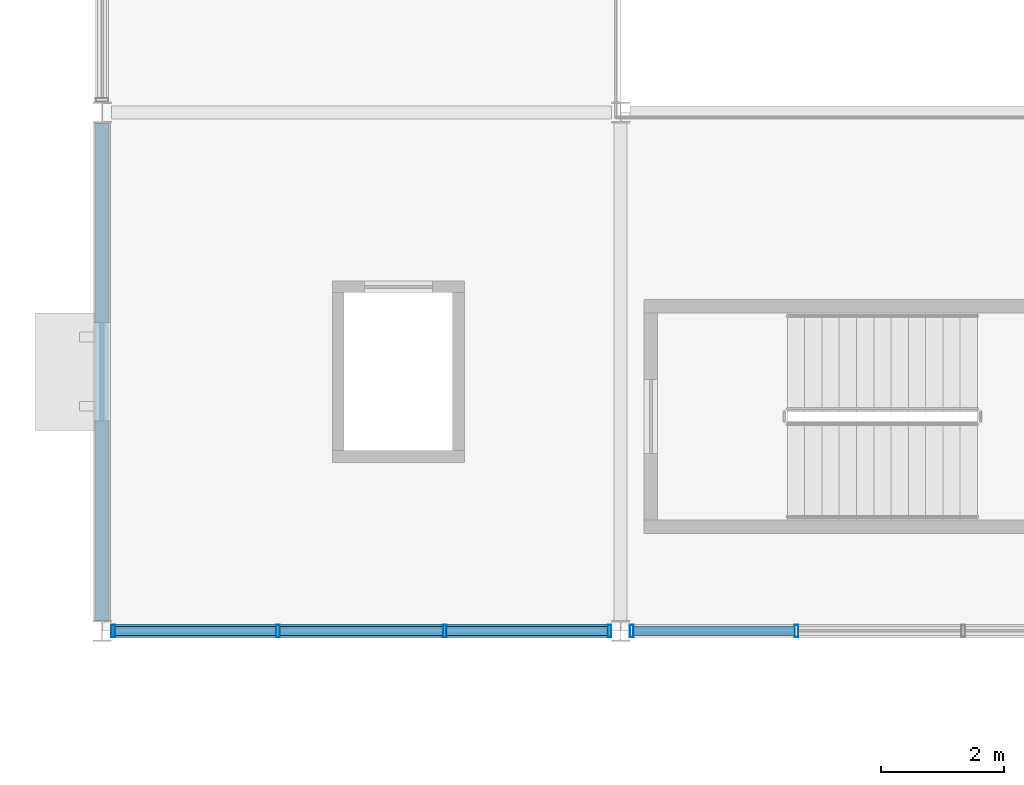
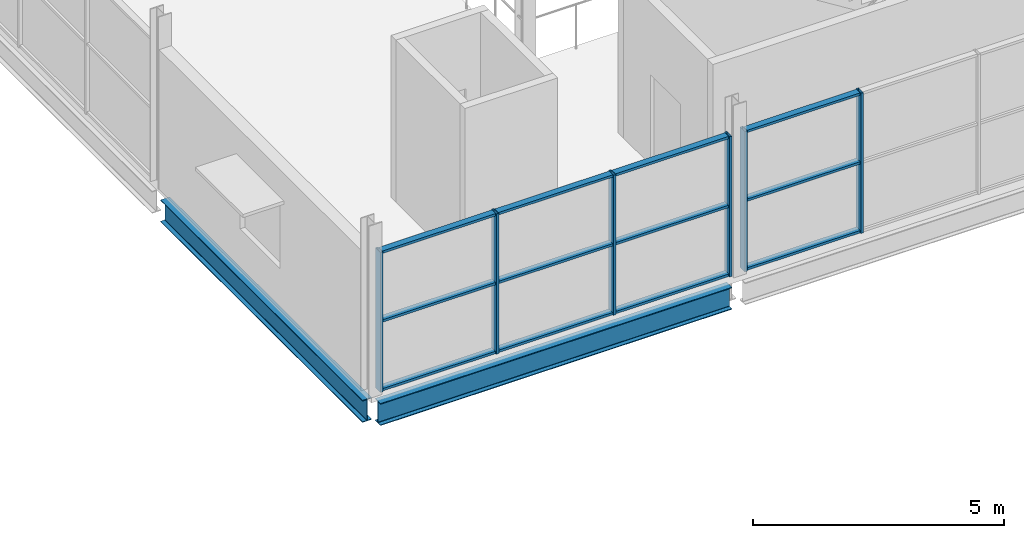
# One storey, part 16 of 93: 18 members, 2 beams, 2 elements without a shape of their own.
"""IFC4 building model written with IfcOpenShell, lengths in metres."""

from ifc_helpers import new_model, si_unit, direction, frame, origin, origin_2d, place, context, subcontext, project, spatial, hollow_rectangle, i_section, extrude, material, material_profile, profile_set, type_object, element, aggregate, save


model = new_model("IFC4")

# Units and contexts
model_context = context("Model", 3, precision=1e-05, world=origin(), true_north=direction((0.0, 1.0)))
body_context = subcontext(model_context, "Body", "Model", "MODEL_VIEW")
ifc_project = project(units=[si_unit("LENGTHUNIT", "METRE"), si_unit("AREAUNIT", "SQUARE_METRE"), si_unit("VOLUMEUNIT", "CUBIC_METRE"), si_unit("PLANEANGLEUNIT", "RADIAN"), si_unit("MASSUNIT", "GRAM", prefix="KILO"), si_unit("THERMODYNAMICTEMPERATUREUNIT", "KELVIN")], contexts=[model_context])

# Site, building, storey
site_placement = place(None, origin())
site = spatial("IfcSite", under=ifc_project, at=site_placement, CompositionType="ELEMENT")
building_placement = place(site_placement, origin())
building = spatial("IfcBuilding", under=site, at=building_placement, Name="Nduvali Passage Aquatics Centre", CompositionType="ELEMENT")
storey_placement = place(building_placement, frame((0.0, 0.0, 9.0)))
storey = spatial("IfcBuildingStorey", under=building, at=storey_placement, Name="L02", CompositionType="ELEMENT", Elevation=9.0)

# Curtain wall, members
ifc_material_1 = material(Name="Aluminium EN AW-6063 T6", Category="aluminium")
curtain_wall_type = type_object("IfcCurtainWallType", Name="ENV-CW-DIVE", PredefinedType="NOTDEFINED", material=ifc_material_1)
curtain_wall_1_placement = place(storey_placement, origin())
curtain_wall_1 = element("IfcCurtainWall", 1, at=curtain_wall_1_placement, inside=storey, type_object=curtain_wall_type, Name="L02 Diving Side Clerestory CW 148", PredefinedType="NOTDEFINED")
ifc_material_profile_1 = material_profile(ifc_material_1, hollow_rectangle(XDim=0.06005859375, YDim=0.199951171875, WallThickness=0.00390625, at=origin_2d()), Name="ALU MULLION 60x200x4")
ifc_profile_set_1 = profile_set([ifc_material_profile_1], Name="Aluminium EN AW-6063 T6")
member_type_1 = type_object("IfcMemberType", Name="ENV-MEM-MUL80", PredefinedType="MULLION", material=ifc_profile_set_1)
member_1_placement = place(storey_placement, frame((0.179931640625, 33.60009765625, 0.0), z_axis=(0.0, 0.0, 1.0), x_axis=(1.0, 0.0, 0.0)))
member_1 = element("IfcMember", 2, at=member_1_placement, type_object=member_type_1, Name="Diving Side Clerestory CW Mullion 1", PredefinedType="MULLION", context=body_context, shape_type="SweptSolid", body=[
    extrude(hollow_rectangle(XDim=0.06005859375, YDim=0.199951171875, WallThickness=0.00390625, at=origin_2d()), origin(), (0.0, 0.0, 1.0), 3.412841796875),
])
member_2_placement = place(storey_placement, frame((2.85009765625, 33.60009765625, 0.0), z_axis=(0.0, 0.0, 1.0), x_axis=(1.0, 0.0, 0.0)))
member_2 = element("IfcMember", 3, at=member_2_placement, type_object=member_type_1, Name="Diving Side Clerestory CW Mullion 2", PredefinedType="MULLION", context=body_context, shape_type="SweptSolid", body=[
    extrude(hollow_rectangle(XDim=0.06005859375, YDim=0.199951171875, WallThickness=0.00390625, at=origin_2d()), origin(), (0.0, 0.0, 1.0), 3.412841796875),
])
member_3_placement = place(storey_placement, frame((5.550048828125, 33.60009765625, 0.0), z_axis=(0.0, 0.0, 1.0), x_axis=(1.0, 0.0, 0.0)))
member_3 = element("IfcMember", 4, at=member_3_placement, type_object=member_type_1, Name="Diving Side Clerestory CW Mullion 3", PredefinedType="MULLION", context=body_context, shape_type="SweptSolid", body=[
    extrude(hollow_rectangle(XDim=0.06005859375, YDim=0.199951171875, WallThickness=0.00390625, at=origin_2d()), origin(), (0.0, 0.0, 1.0), 3.412841796875),
])
member_4_placement = place(storey_placement, frame((8.219970703125, 33.60009765625, 0.0), z_axis=(0.0, 0.0, 1.0), x_axis=(1.0, 0.0, 0.0)))
member_4 = element("IfcMember", 5, at=member_4_placement, type_object=member_type_1, Name="Diving Side Clerestory CW Mullion 4", PredefinedType="MULLION", context=body_context, shape_type="SweptSolid", body=[
    extrude(hollow_rectangle(XDim=0.06005859375, YDim=0.199951171875, WallThickness=0.00390625, at=origin_2d()), origin(), (0.0, 0.0, 1.0), 3.412841796875),
])

curtain_wall_2_placement = place(storey_placement, origin())
curtain_wall_2 = element("IfcCurtainWall", 6, at=curtain_wall_2_placement, inside=storey, type_object=curtain_wall_type, Name="L02 Diving Side Clerestory CW 150", PredefinedType="NOTDEFINED")
member_5_placement = place(storey_placement, frame((8.580078125, 33.60009765625, 0.0), z_axis=(0.0, 0.0, 1.0), x_axis=(1.0, 0.0, 0.0)))
member_5 = element("IfcMember", 7, at=member_5_placement, type_object=member_type_1, Name="Diving Side Clerestory CW Mullion 1", PredefinedType="MULLION", context=body_context, shape_type="SweptSolid", body=[
    extrude(hollow_rectangle(XDim=0.06005859375, YDim=0.199951171875, WallThickness=0.00390625, at=origin_2d()), origin(), (0.0, 0.0, 1.0), 3.412841796875),
])
member_6_placement = place(storey_placement, frame((11.25, 33.60009765625, 0.0), z_axis=(0.0, 0.0, 1.0), x_axis=(1.0, 0.0, 0.0)))
member_6 = element("IfcMember", 8, at=member_6_placement, type_object=member_type_1, Name="Diving Side Clerestory CW Mullion 2", PredefinedType="MULLION", context=body_context, shape_type="SweptSolid", body=[
    extrude(hollow_rectangle(XDim=0.06005859375, YDim=0.199951171875, WallThickness=0.00390625, at=origin_2d()), origin(), (0.0, 0.0, 1.0), 3.412841796875),
])

# Member
ifc_material_profile_2 = material_profile(ifc_material_1, hollow_rectangle(XDim=0.14990234375, YDim=0.06005859375, WallThickness=0.00390625, at=origin_2d()), Name="ALU TRANSOM 150x60x4")
ifc_profile_set_2 = profile_set([ifc_material_profile_2], Name="Aluminium EN AW-6063 T6")
member_type_2 = type_object("IfcMemberType", Name="ENV-MEM-TRN80", PredefinedType="USERDEFINED", material=ifc_profile_set_2)
member_7_placement = place(storey_placement, frame((0.2099609375, 33.60009765625, 0.030029296875), z_axis=(1.0, 0.0, 0.0), x_axis=(0.0, 1.0, 0.0)))
member_7 = element("IfcMember", 9, at=member_7_placement, type_object=member_type_2, Name="Diving Side Clerestory CW Transom B1-R0", ObjectType="TRANSOM", PredefinedType="USERDEFINED", context=body_context, shape_type="SweptSolid", body=[
    extrude(hollow_rectangle(XDim=0.14990234375, YDim=0.06005859375, WallThickness=0.00390625, at=origin_2d()), origin(), (0.0, 0.0, 1.0), 2.610107421875),
])

member_8_placement = place(storey_placement, frame((0.2099609375, 33.60009765625, 1.706298828125), z_axis=(1.0, 0.0, 0.0), x_axis=(0.0, 1.0, 0.0)))
member_8 = element("IfcMember", 10, at=member_8_placement, type_object=member_type_2, Name="Diving Side Clerestory CW Transom B1-R1", ObjectType="TRANSOM", PredefinedType="USERDEFINED", context=body_context, shape_type="SweptSolid", body=[
    extrude(hollow_rectangle(XDim=0.14990234375, YDim=0.06005859375, WallThickness=0.00390625, at=origin_2d()), origin(), (0.0, 0.0, 1.0), 2.610107421875),
])

member_9_placement = place(storey_placement, frame((0.2099609375, 33.60009765625, 3.3828125), z_axis=(1.0, 0.0, 0.0), x_axis=(0.0, 1.0, 0.0)))
member_9 = element("IfcMember", 11, at=member_9_placement, type_object=member_type_2, Name="Diving Side Clerestory CW Transom B1-R2", ObjectType="TRANSOM", PredefinedType="USERDEFINED", context=body_context, shape_type="SweptSolid", body=[
    extrude(hollow_rectangle(XDim=0.14990234375, YDim=0.06005859375, WallThickness=0.00390625, at=origin_2d()), origin(), (0.0, 0.0, 1.0), 2.610107421875),
])

member_10_placement = place(storey_placement, frame((2.8798828125, 33.60009765625, 0.030029296875), z_axis=(1.0, 0.0, 0.0), x_axis=(0.0, 1.0, 0.0)))
member_10 = element("IfcMember", 12, at=member_10_placement, type_object=member_type_2, Name="Diving Side Clerestory CW Transom B2-R0", ObjectType="TRANSOM", PredefinedType="USERDEFINED", context=body_context, shape_type="SweptSolid", body=[
    extrude(hollow_rectangle(XDim=0.14990234375, YDim=0.06005859375, WallThickness=0.00390625, at=origin_2d()), origin(), (0.0, 0.0, 1.0), 2.64013671875),
])

member_11_placement = place(storey_placement, frame((2.8798828125, 33.60009765625, 1.706298828125), z_axis=(1.0, 0.0, 0.0), x_axis=(0.0, 1.0, 0.0)))
member_11 = element("IfcMember", 13, at=member_11_placement, type_object=member_type_2, Name="Diving Side Clerestory CW Transom B2-R1", ObjectType="TRANSOM", PredefinedType="USERDEFINED", context=body_context, shape_type="SweptSolid", body=[
    extrude(hollow_rectangle(XDim=0.14990234375, YDim=0.06005859375, WallThickness=0.00390625, at=origin_2d()), origin(), (0.0, 0.0, 1.0), 2.64013671875),
])

member_12_placement = place(storey_placement, frame((2.8798828125, 33.60009765625, 3.3828125), z_axis=(1.0, 0.0, 0.0), x_axis=(0.0, 1.0, 0.0)))
member_12 = element("IfcMember", 14, at=member_12_placement, type_object=member_type_2, Name="Diving Side Clerestory CW Transom B2-R2", ObjectType="TRANSOM", PredefinedType="USERDEFINED", context=body_context, shape_type="SweptSolid", body=[
    extrude(hollow_rectangle(XDim=0.14990234375, YDim=0.06005859375, WallThickness=0.00390625, at=origin_2d()), origin(), (0.0, 0.0, 1.0), 2.64013671875),
])

member_13_placement = place(storey_placement, frame((5.580078125, 33.60009765625, 0.030029296875), z_axis=(1.0, 0.0, 0.0), x_axis=(0.0, 1.0, 0.0)))
member_13 = element("IfcMember", 15, at=member_13_placement, type_object=member_type_2, Name="Diving Side Clerestory CW Transom B3-R0", ObjectType="TRANSOM", PredefinedType="USERDEFINED", context=body_context, shape_type="SweptSolid", body=[
    extrude(hollow_rectangle(XDim=0.14990234375, YDim=0.06005859375, WallThickness=0.00390625, at=origin_2d()), origin(), (0.0, 0.0, 1.0), 2.60986328125),
])

member_14_placement = place(storey_placement, frame((5.580078125, 33.60009765625, 1.706298828125), z_axis=(1.0, 0.0, 0.0), x_axis=(0.0, 1.0, 0.0)))
member_14 = element("IfcMember", 16, at=member_14_placement, type_object=member_type_2, Name="Diving Side Clerestory CW Transom B3-R1", ObjectType="TRANSOM", PredefinedType="USERDEFINED", context=body_context, shape_type="SweptSolid", body=[
    extrude(hollow_rectangle(XDim=0.14990234375, YDim=0.06005859375, WallThickness=0.00390625, at=origin_2d()), origin(), (0.0, 0.0, 1.0), 2.60986328125),
])

member_15_placement = place(storey_placement, frame((5.580078125, 33.60009765625, 3.3828125), z_axis=(1.0, 0.0, 0.0), x_axis=(0.0, 1.0, 0.0)))
member_15 = element("IfcMember", 17, at=member_15_placement, type_object=member_type_2, Name="Diving Side Clerestory CW Transom B3-R2", ObjectType="TRANSOM", PredefinedType="USERDEFINED", context=body_context, shape_type="SweptSolid", body=[
    extrude(hollow_rectangle(XDim=0.14990234375, YDim=0.06005859375, WallThickness=0.00390625, at=origin_2d()), origin(), (0.0, 0.0, 1.0), 2.60986328125),
])

aggregate(curtain_wall_1, [member_1, member_2, member_3, member_4, member_7, member_8, member_9, member_10, member_11, member_12, member_13, member_14, member_15])

member_16_placement = place(storey_placement, frame((8.610107421875, 33.60009765625, 0.030029296875), z_axis=(1.0, 0.0, 0.0), x_axis=(0.0, 1.0, 0.0)))
member_16 = element("IfcMember", 18, at=member_16_placement, type_object=member_type_2, Name="Diving Side Clerestory CW Transom B1-R0", ObjectType="TRANSOM", PredefinedType="USERDEFINED", context=body_context, shape_type="SweptSolid", body=[
    extrude(hollow_rectangle(XDim=0.14990234375, YDim=0.06005859375, WallThickness=0.00390625, at=origin_2d()), origin(), (0.0, 0.0, 1.0), 2.60986328125),
])

member_17_placement = place(storey_placement, frame((8.610107421875, 33.60009765625, 1.706298828125), z_axis=(1.0, 0.0, 0.0), x_axis=(0.0, 1.0, 0.0)))
member_17 = element("IfcMember", 19, at=member_17_placement, type_object=member_type_2, Name="Diving Side Clerestory CW Transom B1-R1", ObjectType="TRANSOM", PredefinedType="USERDEFINED", context=body_context, shape_type="SweptSolid", body=[
    extrude(hollow_rectangle(XDim=0.14990234375, YDim=0.06005859375, WallThickness=0.00390625, at=origin_2d()), origin(), (0.0, 0.0, 1.0), 2.60986328125),
])

member_18_placement = place(storey_placement, frame((8.610107421875, 33.60009765625, 3.3828125), z_axis=(1.0, 0.0, 0.0), x_axis=(0.0, 1.0, 0.0)))
member_18 = element("IfcMember", 20, at=member_18_placement, type_object=member_type_2, Name="Diving Side Clerestory CW Transom B1-R2", ObjectType="TRANSOM", PredefinedType="USERDEFINED", context=body_context, shape_type="SweptSolid", body=[
    extrude(hollow_rectangle(XDim=0.14990234375, YDim=0.06005859375, WallThickness=0.00390625, at=origin_2d()), origin(), (0.0, 0.0, 1.0), 2.60986328125),
])

aggregate(curtain_wall_2, [member_5, member_6, member_16, member_17, member_18])

# Beams
ifc_material_2 = material(Name="Steel S355", Category="steel")
ifc_material_profile_3 = material_profile(ifc_material_2, i_section(OverallWidth=0.210693359375, OverallDepth=0.53955078125, WebThickness=0.01171875, FlangeThickness=0.018798828125, FilletRadius=0.0126953125, at=origin_2d()), Name="UKB 533x210x109")
ifc_profile_set_3 = profile_set([ifc_material_profile_3], Name="Steel S355")
beam_type_1 = type_object("IfcBeamType", Name="STR-BM-UKB533", PredefinedType="BEAM", material=ifc_profile_set_3)
beam_1_placement = place(storey_placement, frame((0.14990234375, 33.60009765625, -0.53369140625), z_axis=(1.0, 0.0, 0.0), x_axis=(0.0, 1.0, 0.0)))
element("IfcBeam", 21, at=beam_1_placement, inside=storey, type_object=beam_type_1, Name="L02 Primary X-Girder B6-0884", PredefinedType="BEAM", context=body_context, shape_type="SweptSolid", body=[
    extrude(i_section(OverallWidth=0.210693359375, OverallDepth=0.53955078125, WebThickness=0.01171875, FlangeThickness=0.018798828125, FilletRadius=0.0126953125, at=origin_2d()), origin(), (0.0, 0.0, 1.0), 8.10009765625),
])
ifc_material_profile_4 = material_profile(ifc_material_2, i_section(OverallWidth=0.210693359375, OverallDepth=0.53955078125, WebThickness=0.01171875, FlangeThickness=0.018798828125, FilletRadius=0.0126953125, at=origin_2d()), Name="UKB 533x210x109")
ifc_profile_set_4 = profile_set([ifc_material_profile_4], Name="Steel S355")
beam_type_2 = type_object("IfcBeamType", Name="STR-BM-UKB533-EXT", PredefinedType="BEAM", material=ifc_profile_set_4)
beam_2_placement = place(storey_placement, frame((0.0, 33.77001953125, -0.53369140625), z_axis=(0.0, 1.0, 0.0), x_axis=(-1.0, 0.0, 0.0)))
element("IfcBeam", 22, at=beam_2_placement, inside=storey, type_object=beam_type_2, Name="L02 Primary Y-Girder B6E-0950", PredefinedType="BEAM", context=body_context, shape_type="SweptSolid", body=[
    extrude(i_section(OverallWidth=0.210693359375, OverallDepth=0.53955078125, WebThickness=0.01171875, FlangeThickness=0.018798828125, FilletRadius=0.0126953125, at=origin_2d()), origin(), (0.0, 0.0, 1.0), 8.06005859375),
])

save(model, "model.ifc")
